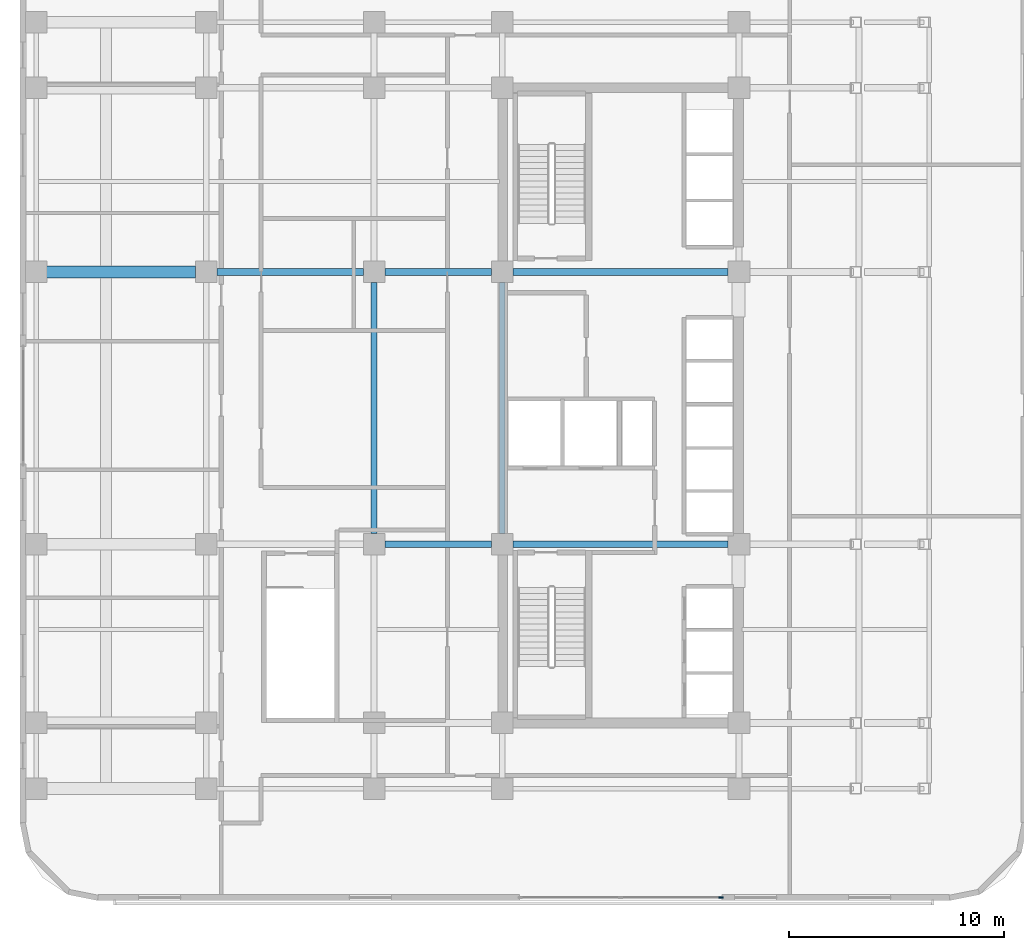
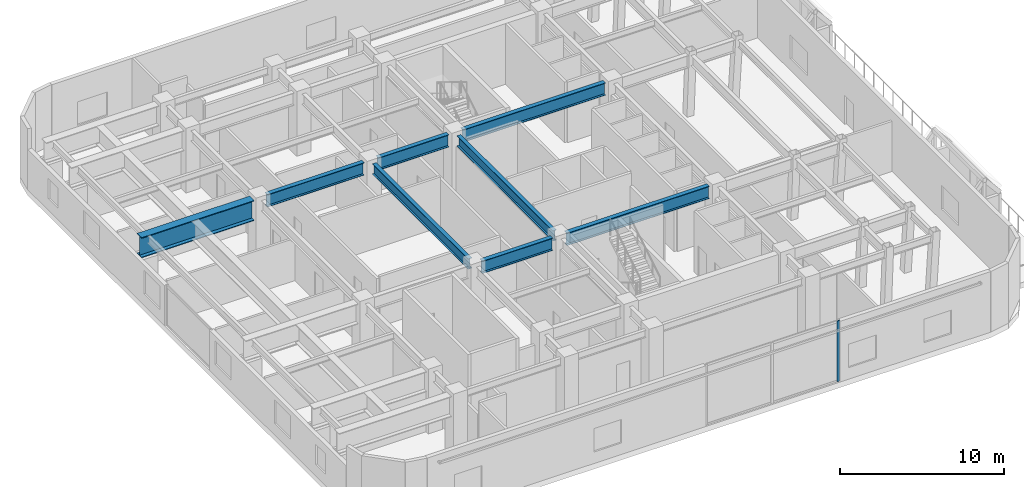
# One storey, part 3 of 18: 8 beams, 1 member, 1 element without a shape of its own.
"""IFC4 building model written with IfcOpenShell, lengths in metres."""

from ifc_helpers import new_model, si_unit, direction, frame, origin, origin_2d, place, context, subcontext, project, spatial, rectangle, i_section, extrude, material, layer, layer_set, material_profile, profile_set, type_object, element, aggregate, save


model = new_model("IFC4")

# Units and contexts
model_context = context("Model", 3, precision=1e-05, world=origin(), true_north=direction((0.0, 1.0)))
body_context = subcontext(model_context, "Body", "Model", "MODEL_VIEW")
ifc_project = project(units=[si_unit("LENGTHUNIT", "METRE"), si_unit("AREAUNIT", "SQUARE_METRE"), si_unit("VOLUMEUNIT", "CUBIC_METRE"), si_unit("PLANEANGLEUNIT", "RADIAN"), si_unit("MASSUNIT", "GRAM", prefix="KILO")], contexts=[model_context])

# Site, building, storey
site_placement = place(None, origin())
site = spatial("IfcSite", under=ifc_project, at=site_placement, CompositionType="ELEMENT")
building_placement = place(site_placement, origin())
building = spatial("IfcBuilding", under=site, at=building_placement, Name="Ochreholt Gables", CompositionType="ELEMENT")
storey_placement = place(building_placement, frame((0.0, 0.0, 19.199951171875)))
storey = spatial("IfcBuildingStorey", under=building, at=storey_placement, Name="L04", CompositionType="ELEMENT", Elevation=19.199951171875)

# Beams
ifc_material_1 = material(Name="Steel CSA G40.21 350W", Category="steel")
ifc_material_profile_1 = material_profile(ifc_material_1, i_section(OverallWidth=0.26806640625, OverallDepth=0.77001953125, WebThickness=0.015625, FlangeThickness=0.025390625, at=origin_2d()), Name="W760X196")
ifc_profile_set_1 = profile_set([ifc_material_profile_1], Name="Steel CSA G40.21 350W")
beam_type_1 = type_object("IfcBeamType", Name="BM-G-W760", PredefinedType="BEAM", material=ifc_profile_set_1)
for number, where, z_axis, x_axis, name in (
    (1, (18.25, 18.049560546875, 4.114990234375), (0.0, 1.0, 0.0), (-1.0, 0.0, 0.0), "L04 Beam BG-L04-W3-Y3Y4"),
    (2, (24.199951171875, 18.049560546875, 4.114990234375), (0.0, 1.0, 0.0), (-1.0, 0.0, 0.0), "L04 Beam BG-L04-C1-Y3Y4"),
):
    element("IfcBeam", number, at=place(storey_placement, frame(where, z_axis=z_axis, x_axis=x_axis)), inside=storey, type_object=beam_type_1, Name=name, PredefinedType="BEAM", context=body_context, shape_type="SweptSolid", body=[
        extrude(i_section(OverallWidth=0.26806640625, OverallDepth=0.77001953125, WebThickness=0.015625, FlangeThickness=0.025390625, at=origin_2d()), origin(), (0.0, 0.0, 1.0), 11.65087890625),
    ])
ifc_material_profile_2 = material_profile(ifc_material_1, i_section(OverallWidth=0.30810546875, OverallDepth=0.927001953125, WebThickness=0.019287109375, FlangeThickness=0.031982421875, at=origin_2d()), Name="W920X289")
ifc_profile_set_2 = profile_set([ifc_material_profile_2], Name="Steel CSA G40.21 350W")
beam_type_2 = type_object("IfcBeamType", Name="BM-G-W920", PredefinedType="BEAM", material=ifc_profile_set_2)
beam_1_placement = place(storey_placement, frame((18.74951171875, 17.550048828125, 4.03662109375), z_axis=(1.0, 0.0, 0.0), x_axis=(0.0, 1.0, 0.0)))
element("IfcBeam", 3, at=beam_1_placement, inside=storey, type_object=beam_type_2, Name="L04 Beam BG-L04-W3C1-Y3", PredefinedType="BEAM", context=body_context, shape_type="SweptSolid", body=[
    extrude(i_section(OverallWidth=0.30810546875, OverallDepth=0.927001953125, WebThickness=0.019287109375, FlangeThickness=0.031982421875, at=origin_2d()), origin(), (0.0, 0.0, 1.0), 4.950927734375),
])
beam_2_placement = place(storey_placement, frame((24.69970703125, 17.550048828125, 4.03662109375), z_axis=(1.0, 0.0, 0.0), x_axis=(0.0, 1.0, 0.0)))
element("IfcBeam", 4, at=beam_2_placement, inside=storey, type_object=beam_type_2, Name="L04 Beam BG-L04-C1C2-Y3", PredefinedType="BEAM", context=body_context, shape_type="SweptSolid", body=[
    extrude(i_section(OverallWidth=0.30810546875, OverallDepth=0.927001953125, WebThickness=0.019287109375, FlangeThickness=0.031982421875, at=origin_2d()), origin(), (0.0, 0.0, 1.0), 10.000732421875),
])
beam_3_placement = place(storey_placement, frame((10.94970703125, 30.199951171875, 4.03662109375), z_axis=(1.0, 0.0, 0.0), x_axis=(0.0, 1.0, 0.0)))
element("IfcBeam", 5, at=beam_3_placement, inside=storey, type_object=beam_type_2, Name="L04 Beam BG-L04-W2W3-Y4", PredefinedType="BEAM", context=body_context, shape_type="SweptSolid", body=[
    extrude(i_section(OverallWidth=0.30810546875, OverallDepth=0.927001953125, WebThickness=0.019287109375, FlangeThickness=0.031982421875, at=origin_2d()), origin(), (0.0, 0.0, 1.0), 6.80078125),
])
beam_4_placement = place(storey_placement, frame((18.74951171875, 30.199951171875, 4.03662109375), z_axis=(1.0, 0.0, 0.0), x_axis=(0.0, 1.0, 0.0)))
element("IfcBeam", 6, at=beam_4_placement, inside=storey, type_object=beam_type_2, Name="L04 Beam BG-L04-W3C1-Y4", PredefinedType="BEAM", context=body_context, shape_type="SweptSolid", body=[
    extrude(i_section(OverallWidth=0.30810546875, OverallDepth=0.927001953125, WebThickness=0.019287109375, FlangeThickness=0.031982421875, at=origin_2d()), origin(), (0.0, 0.0, 1.0), 4.950927734375),
])
beam_5_placement = place(storey_placement, frame((24.69970703125, 30.199951171875, 4.03662109375), z_axis=(1.0, 0.0, 0.0), x_axis=(0.0, 1.0, 0.0)))
element("IfcBeam", 7, at=beam_5_placement, inside=storey, type_object=beam_type_2, Name="L04 Beam BG-L04-C1C2-Y4", PredefinedType="BEAM", context=body_context, shape_type="SweptSolid", body=[
    extrude(i_section(OverallWidth=0.30810546875, OverallDepth=0.927001953125, WebThickness=0.019287109375, FlangeThickness=0.031982421875, at=origin_2d()), origin(), (0.0, 0.0, 1.0), 10.000732421875),
])
ifc_material_profile_3 = material_profile(ifc_material_1, i_section(OverallWidth=0.550048828125, OverallDepth=1.5, WebThickness=0.028076171875, FlangeThickness=0.050048828125, at=origin_2d()), Name="WWF1500X550")
ifc_profile_set_3 = profile_set([ifc_material_profile_3], Name="Steel CSA G40.21 350W")
beam_type_3 = type_object("IfcBeamType", Name="BM-TR-WWF1500", PredefinedType="T_BEAM", material=ifc_profile_set_3)
beam_6_placement = place(storey_placement, frame((2.050048828125, 30.199951171875, 3.75), z_axis=(1.0, 0.0, 0.0), x_axis=(0.0, 1.0, 0.0)))
element("IfcBeam", 8, at=beam_6_placement, inside=storey, type_object=beam_type_3, Name="L04 Beam TRG-W-Y4-L04", PredefinedType="T_BEAM", context=body_context, shape_type="SweptSolid", body=[
    extrude(i_section(OverallWidth=0.550048828125, OverallDepth=1.5, WebThickness=0.028076171875, FlangeThickness=0.050048828125, at=origin_2d()), origin(), (0.0, 0.0, 1.0), 7.900390625),
])

# Curtain wall, member
ifc_material_2 = material(Name="Unitised Aluminium and Triple Glazing", Category="aluminium")
ifc_layer = layer(ifc_material_2, 0.199951171875, Name="Unitised Aluminium and Triple Glazing")
ifc_layer_set = layer_set([ifc_layer], Name="Unitised Aluminium and Triple Glazing")
curtain_wall_type = type_object("IfcCurtainWallType", Name="CW-SYS1", PredefinedType="NOTDEFINED", material=ifc_layer_set)
curtain_wall_placement = place(storey_placement, origin())
curtain_wall = element("IfcCurtainWall", 9, at=curtain_wall_placement, inside=storey, type_object=curtain_wall_type, Name="L04 South Unitised Curtain Wall", PredefinedType="NOTDEFINED")
ifc_material_3 = material(Name="Anodized Aluminium 6063-T6", Category="aluminium")
ifc_material_profile_4 = material_profile(ifc_material_3, rectangle(XDim=0.074951171875, YDim=0.199951171875, at=origin_2d()), Name="CWM75X200")
ifc_profile_set_4 = profile_set([ifc_material_profile_4], Name="Anodized Aluminium 6063-T6")
member_type = type_object("IfcMemberType", Name="CW-MUL-A", PredefinedType="MULLION", material=ifc_profile_set_4)
member_placement = place(storey_placement, frame((34.362548828125, 1.14501953125, 0.0), z_axis=(0.0, 0.0, 1.0), x_axis=(0.0, 1.0, 0.0)))
member = element("IfcMember", 10, at=member_placement, type_object=member_type, Name="CW-1 mullion 3", PredefinedType="MULLION", context=body_context, shape_type="SweptSolid", body=[
    extrude(rectangle(XDim=0.074951171875, YDim=0.199951171875, at=origin_2d()), origin(), (0.0, 0.0, 1.0), 4.5),
])
aggregate(curtain_wall, [member])

save(model, "model.ifc")
